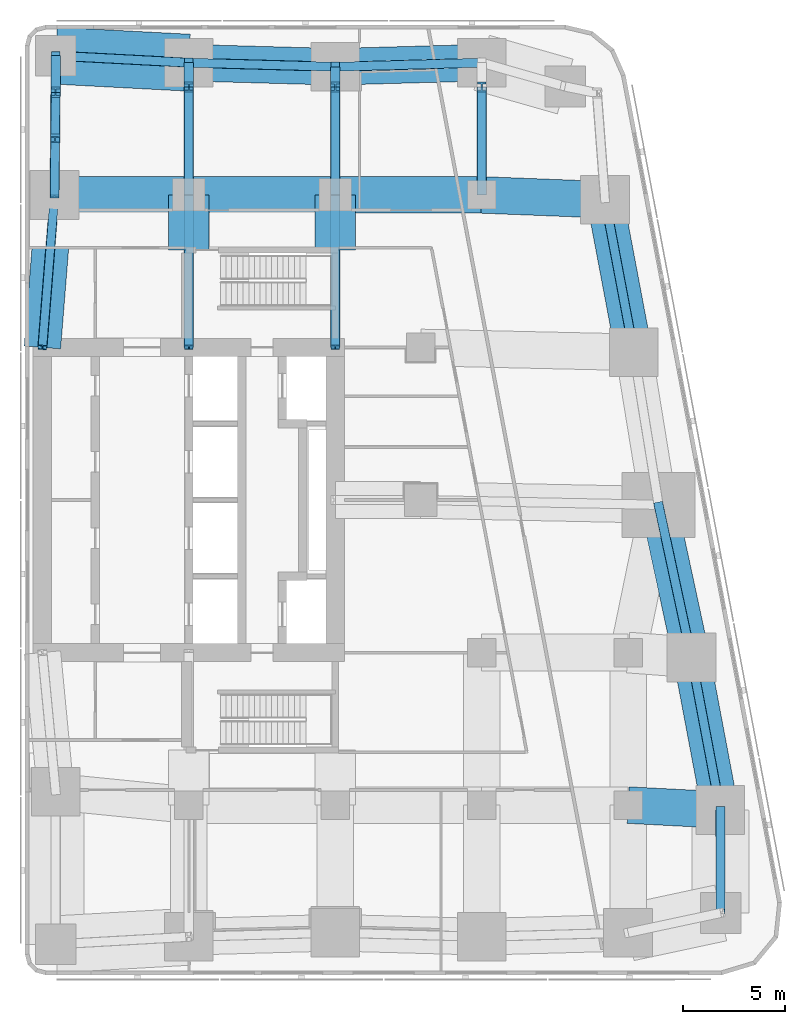
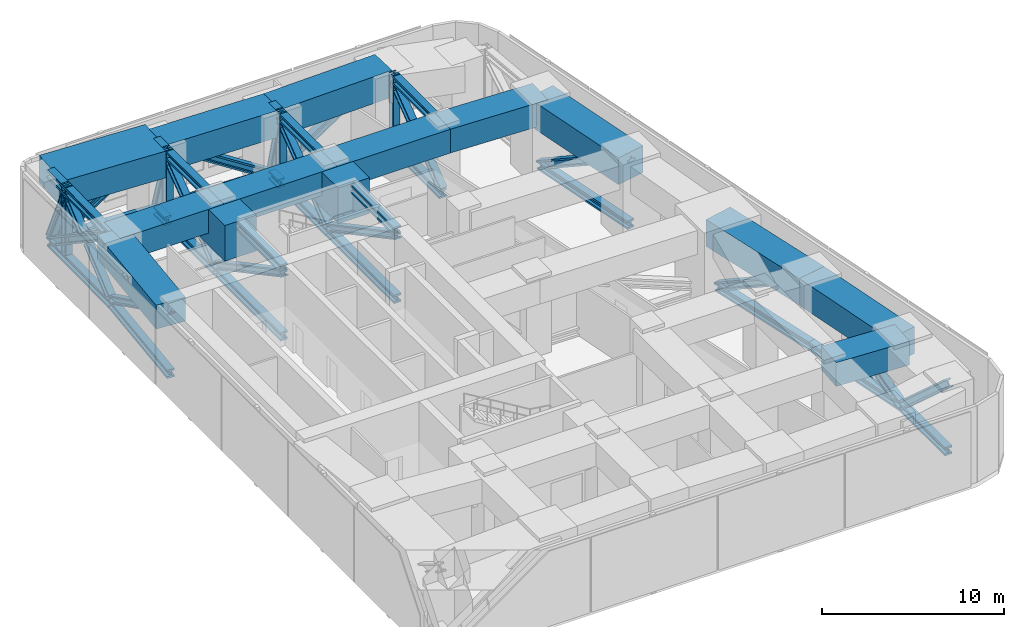
# One storey, part 2 of 9: 50 members, 14 beams.
"""IFC4 building model written with IfcOpenShell, lengths in metres."""

from ifc_helpers import new_model, si_unit, direction, frame, origin, origin_2d, place, context, subcontext, project, spatial, rectangle, i_section, extrude, material, material_profile, profile_set, type_object, element, save


model = new_model("IFC4")

# Units and contexts
model_context = context("Model", 3, precision=1e-05, world=origin(), true_north=direction((0.0, 1.0)))
body_context = subcontext(model_context, "Body", "Model", "MODEL_VIEW")
ifc_project = project(units=[si_unit("LENGTHUNIT", "METRE"), si_unit("AREAUNIT", "SQUARE_METRE"), si_unit("VOLUMEUNIT", "CUBIC_METRE"), si_unit("PLANEANGLEUNIT", "RADIAN"), si_unit("MASSUNIT", "GRAM", prefix="KILO")], contexts=[model_context])

# Site, building, storey
site_placement = place(None, origin())
site = spatial("IfcSite", under=ifc_project, at=site_placement, CompositionType="ELEMENT")
building_placement = place(site_placement, origin())
building = spatial("IfcBuilding", under=site, at=building_placement, Name="Sheger Commons Tower", CompositionType="ELEMENT")
storey_placement = place(building_placement, frame((0.0, 0.0, 246.199951171875)))
storey = spatial("IfcBuildingStorey", under=building, at=storey_placement, Name="L63", CompositionType="ELEMENT", Elevation=246.199951171875)

# Beams
ifc_material_1 = material(Name="Concrete C50/60", Category="concrete")
ifc_material_profile_1 = material_profile(ifc_material_1, rectangle(XDim=1.800048828125, YDim=1.60009765625, at=origin_2d()), Name="RC 1800x1600")
ifc_profile_set_1 = profile_set([ifc_material_profile_1], Name="Concrete C50/60")
beam_type_1 = type_object("IfcBeamType", Name="BEAM RC 1800x1600", PredefinedType="BEAM", material=ifc_profile_set_1)
beam_1_placement = place(storey_placement, frame((43.199951171875, 7.5, 4.35009765625), z_axis=(0.998633543943, -0.052259400225, 0.0), x_axis=(0.052259400225, 0.998633543943, 0.0)))
element("IfcBeam", 1, at=beam_1_placement, inside=storey, type_object=beam_type_1, Name="Beam 7/B-E/B under L64", PredefinedType="BEAM", context=body_context, shape_type="SweptSolid", body=[
    extrude(rectangle(XDim=1.800048828125, YDim=1.60009765625, at=origin_2d()), origin(), (0.0, 0.0, 1.0), 4.5361328125),
])
beam_2_placement = place(storey_placement, frame((15.0, 37.5, 4.35009765625), z_axis=(1.0, 0.0, 0.0), x_axis=(0.0, 1.0, 0.0)))
element("IfcBeam", 2, at=beam_2_placement, inside=storey, type_object=beam_type_1, Name="Beam 3/F-4/F under L64", PredefinedType="BEAM", context=body_context, shape_type="SweptSolid", body=[
    extrude(rectangle(XDim=1.800048828125, YDim=1.60009765625, at=origin_2d()), origin(), (0.0, 0.0, 1.0), 6.60009765625),
])
for number, where, z_axis, x_axis, name in (
    (3, (21.60009765625, 37.5, 4.35009765625), (1.0, 0.0, 0.0), (0.0, 1.0, 0.0), "Beam 4/F-5/F under L64"),
    (4, (28.800048828125, 37.5, 4.35009765625), (1.0, 0.0, 0.0), (0.0, 1.0, 0.0), "Beam 5/F-6/F under L64"),
):
    element("IfcBeam", number, at=place(storey_placement, frame(where, z_axis=z_axis, x_axis=x_axis)), inside=storey, type_object=beam_type_1, Name=name, PredefinedType="BEAM", context=body_context, shape_type="SweptSolid", body=[
        extrude(rectangle(XDim=1.800048828125, YDim=1.60009765625, at=origin_2d()), origin(), (0.0, 0.0, 1.0), 7.199951171875),
    ])
beam_3_placement = place(storey_placement, frame((36.0, 37.5, 4.35009765625), z_axis=(0.99923673074, -0.039063486011, 0.0), x_axis=(0.039063486011, 0.99923673074, 0.0)))
element("IfcBeam", 5, at=beam_3_placement, inside=storey, type_object=beam_type_1, Name="Beam 6/F-E/F under L64", PredefinedType="BEAM", context=body_context, shape_type="SweptSolid", body=[
    extrude(rectangle(XDim=1.800048828125, YDim=1.60009765625, at=origin_2d()), origin(), (0.0, 0.0, 1.0), 6.068603515625),
])
beam_4_placement = place(storey_placement, frame((14.39990234375, 30.0, 4.35009765625), z_axis=(0.079758119089, 0.996814246708, 0.0), x_axis=(-0.996814246708, 0.079758119089, 0.0)))
element("IfcBeam", 6, at=beam_4_placement, inside=storey, type_object=beam_type_1, Name="Beam 3/E-3/F under L64", PredefinedType="BEAM", context=body_context, shape_type="SweptSolid", body=[
    extrude(rectangle(XDim=1.800048828125, YDim=1.60009765625, at=origin_2d()), origin(), (0.0, 0.0, 1.0), 7.52392578125),
])
ifc_material_2 = material(Name="Concrete C50/60", Category="concrete")
ifc_material_profile_2 = material_profile(ifc_material_2, rectangle(XDim=2.0, YDim=2.39990234375, at=origin_2d()), Name="RC 2000x2400")
ifc_profile_set_2 = profile_set([ifc_material_profile_2], Name="Concrete C50/60")
beam_type_2 = type_object("IfcBeamType", Name="BEAM RC 2000x2400", PredefinedType="BEAM", material=ifc_profile_set_2)
for number, where, z_axis, x_axis, name in (
    (7, (21.60009765625, 34.800048828125, 3.949951171875), (0.0, 1.0, 0.0), (-1.0, 0.0, 0.0), "Beam 21.600,34.800-4/F under L64"),
    (8, (28.800048828125, 34.800048828125, 3.949951171875), (0.0, 1.0, 0.0), (-1.0, 0.0, 0.0), "Beam 28.800,34.800-5/F under L64"),
):
    element("IfcBeam", number, at=place(storey_placement, frame(where, z_axis=z_axis, x_axis=x_axis)), inside=storey, type_object=beam_type_2, Name=name, PredefinedType="BEAM", context=body_context, shape_type="SweptSolid", body=[
        extrude(rectangle(XDim=2.0, YDim=2.39990234375, at=origin_2d()), origin(), (0.0, 0.0, 1.0), 2.699951171875),
    ])

# Members
ifc_material_3 = material(Name="Steel S460", Category="steel")
ifc_material_profile_3 = material_profile(ifc_material_3, i_section(OverallWidth=0.424072265625, OverallDepth=0.47412109375, WebThickness=0.047607421875, FlangeThickness=0.0771484375, at=origin_2d()), Name="HD 400x634")
ifc_profile_set_3 = profile_set([ifc_material_profile_3], Name="Steel S460")
member_type_1 = type_object("IfcMemberType", Name="BRACE HD 400x634", PredefinedType="BRACE", material=ifc_profile_set_3)
member_1_placement = place(storey_placement, frame((14.39990234375, 30.0, 4.5810546875), z_axis=(0.070377998838, 0.879581824376, -0.470513285155), x_axis=(-0.996814246708, 0.079758119089, 0.0)))
element("IfcMember", 9, at=member_1_placement, inside=storey, type_object=member_type_1, Name="Outrigger N diagonal 3", PredefinedType="BRACE", context=body_context, shape_type="SweptSolid", body=[
    extrude(i_section(OverallWidth=0.424072265625, OverallDepth=0.47412109375, WebThickness=0.047607421875, FlangeThickness=0.0771484375, at=origin_2d()), origin(), (0.0, 0.0, 1.0), 8.52685546875),
])
member_2_placement = place(storey_placement, frame((15.0, 37.5, 0.569091796875), z_axis=(0.008378416844, 0.782713109701, 0.622326272974), x_axis=(-0.999942713618, 0.010703713495, 0.0)))
element("IfcMember", 10, at=member_2_placement, inside=storey, type_object=member_type_1, Name="Truss 3 diagonal", PredefinedType="BRACE", context=body_context, shape_type="SweptSolid", body=[
    extrude(i_section(OverallWidth=0.424072265625, OverallDepth=0.47412109375, WebThickness=0.047607421875, FlangeThickness=0.0771484375, at=origin_2d()), origin(), (0.0, 0.0, 1.0), 3.467529296875),
])
member_3_placement = place(storey_placement, frame((15.053955078125, 44.345947265625, 0.569091796875), z_axis=(0.0, -0.40935558494, 0.912374925718), x_axis=(1.0, 0.0, 0.0)))
element("IfcMember", 11, at=member_3_placement, inside=storey, type_object=member_type_1, Name="Truss 3 diagonal", PredefinedType="BRACE", context=body_context, shape_type="SweptSolid", body=[
    extrude(i_section(OverallWidth=0.424072265625, OverallDepth=0.47412109375, WebThickness=0.047607421875, FlangeThickness=0.0771484375, at=origin_2d()), origin(), (0.0, 0.0, 1.0), 4.397216796875),
])
member_4_placement = place(storey_placement, frame((21.60009765625, 30.0, 4.5810546875), z_axis=(0.0, 0.88176826188, -0.471682872639), x_axis=(-1.0, 0.0, 0.0)))
element("IfcMember", 12, at=member_4_placement, inside=storey, type_object=member_type_1, Name="Outrigger N diagonal 4", PredefinedType="BRACE", context=body_context, shape_type="SweptSolid", body=[
    extrude(i_section(OverallWidth=0.424072265625, OverallDepth=0.47412109375, WebThickness=0.047607421875, FlangeThickness=0.0771484375, at=origin_2d()), origin(), (0.0, 0.0, 1.0), 8.505615234375),
])
member_5_placement = place(storey_placement, frame((21.60009765625, 37.5, 0.569091796875), z_axis=(0.0, 0.797325655592, 0.603549334301), x_axis=(-1.0, 0.0, 0.0)))
element("IfcMember", 13, at=member_5_placement, inside=storey, type_object=member_type_1, Name="Truss 4 diagonal", PredefinedType="BRACE", context=body_context, shape_type="SweptSolid", body=[
    extrude(i_section(OverallWidth=0.424072265625, OverallDepth=0.47412109375, WebThickness=0.047607421875, FlangeThickness=0.0771484375, at=origin_2d()), origin(), (0.0, 0.0, 1.0), 6.647216796875),
])
member_6_placement = place(storey_placement, frame((21.60009765625, 44.0, 0.569091796875), z_axis=(0.0, -0.286550823558, 0.958065042426), x_axis=(1.0, 0.0, 0.0)))
element("IfcMember", 14, at=member_6_placement, inside=storey, type_object=member_type_1, Name="Truss 4 diagonal", PredefinedType="BRACE", context=body_context, shape_type="SweptSolid", body=[
    extrude(i_section(OverallWidth=0.424072265625, OverallDepth=0.47412109375, WebThickness=0.047607421875, FlangeThickness=0.0771484375, at=origin_2d()), origin(), (0.0, 0.0, 1.0), 4.1875),
])
member_7_placement = place(storey_placement, frame((28.800048828125, 30.0, 4.5810546875), z_axis=(0.0, 0.88176826188, -0.471682872639), x_axis=(-1.0, 0.0, 0.0)))
element("IfcMember", 15, at=member_7_placement, inside=storey, type_object=member_type_1, Name="Outrigger N diagonal 5", PredefinedType="BRACE", context=body_context, shape_type="SweptSolid", body=[
    extrude(i_section(OverallWidth=0.424072265625, OverallDepth=0.47412109375, WebThickness=0.047607421875, FlangeThickness=0.0771484375, at=origin_2d()), origin(), (0.0, 0.0, 1.0), 8.505615234375),
])
member_8_placement = place(storey_placement, frame((28.800048828125, 37.5, 0.569091796875), z_axis=(0.0, 0.797325655592, 0.603549334301), x_axis=(-1.0, 0.0, 0.0)))
element("IfcMember", 16, at=member_8_placement, inside=storey, type_object=member_type_1, Name="Truss 5 diagonal", PredefinedType="BRACE", context=body_context, shape_type="SweptSolid", body=[
    extrude(i_section(OverallWidth=0.424072265625, OverallDepth=0.47412109375, WebThickness=0.047607421875, FlangeThickness=0.0771484375, at=origin_2d()), origin(), (0.0, 0.0, 1.0), 6.647216796875),
])
member_9_placement = place(storey_placement, frame((28.800048828125, 43.800048828125, 0.569091796875), z_axis=(0.0, -0.241854792984, 0.970312454373), x_axis=(1.0, 0.0, 0.0)))
element("IfcMember", 17, at=member_9_placement, inside=storey, type_object=member_type_1, Name="Truss 5 diagonal", PredefinedType="BRACE", context=body_context, shape_type="SweptSolid", body=[
    extrude(i_section(OverallWidth=0.424072265625, OverallDepth=0.47412109375, WebThickness=0.047607421875, FlangeThickness=0.0771484375, at=origin_2d()), origin(), (0.0, 0.0, 1.0), 4.134765625),
])
member_10_placement = place(storey_placement, frame((36.0, 37.5, 0.569091796875), z_axis=(0.0, 0.797325655592, 0.603549334301), x_axis=(-1.0, 0.0, 0.0)))
element("IfcMember", 18, at=member_10_placement, inside=storey, type_object=member_type_1, Name="Truss 6 diagonal", PredefinedType="BRACE", context=body_context, shape_type="SweptSolid", body=[
    extrude(i_section(OverallWidth=0.424072265625, OverallDepth=0.47412109375, WebThickness=0.047607421875, FlangeThickness=0.0771484375, at=origin_2d()), origin(), (0.0, 0.0, 1.0), 6.647216796875),
])
member_11_placement = place(storey_placement, frame((15.033935546875, 40.65087890625, 3.073974609375), z_axis=(0.008268024008, 0.782639053023, 0.622420880483), x_axis=(-0.999944202585, 0.010563698095, 0.0)))
element("IfcMember", 19, at=member_11_placement, inside=storey, type_object=member_type_1, Name="Truss 3 diagonal", PredefinedType="BRACE", context=body_context, shape_type="SweptSolid", body=[
    extrude(i_section(OverallWidth=0.424072265625, OverallDepth=0.47412109375, WebThickness=0.047607421875, FlangeThickness=0.0771484375, at=origin_2d()), origin(), (0.0, 0.0, 1.0), 2.42138671875),
])
ifc_material_4 = material(Name="Steel S460", Category="steel")
ifc_material_profile_4 = material_profile(ifc_material_4, i_section(OverallWidth=0.44189453125, OverallDepth=0.531005859375, WebThickness=0.06591796875, FlangeThickness=0.10595703125, at=origin_2d()), Name="HD 400x900")
ifc_profile_set_4 = profile_set([ifc_material_profile_4], Name="Steel S460")
member_type_2 = type_object("IfcMemberType", Name="BRACE HD 400x900", PredefinedType="BRACE", material=ifc_profile_set_4)
member_12_placement = place(storey_placement, frame((47.72998046875, 7.262939453125, 0.300048828125), z_axis=(0.002653189258, -0.743968609516, 0.668209300026), x_axis=(0.999993640937, 0.003566242382, 0.0)))
element("IfcMember", 20, at=member_12_placement, inside=storey, type_object=member_type_2, Name="Belt truss diagonal 47.748,2.197-47.730,7.263", PredefinedType="BRACE", context=body_context, shape_type="SweptSolid", body=[
    extrude(i_section(OverallWidth=0.44189453125, OverallDepth=0.531005859375, WebThickness=0.06591796875, FlangeThickness=0.10595703125, at=origin_2d()), origin(), (0.0, 0.0, 1.0), 6.809326171875),
])
member_13_placement = place(storey_placement, frame((47.72998046875, 7.262939453125, 0.300048828125), z_axis=(-0.159356525965, 0.844040082352, 0.512056478346), x_axis=(-0.982639655108, -0.18552441405, 0.0)))
element("IfcMember", 21, at=member_13_placement, inside=storey, type_object=member_type_2, Name="Belt truss diagonal 47.730,7.263-46.314,14.763", PredefinedType="BRACE", context=body_context, shape_type="SweptSolid", body=[
    extrude(i_section(OverallWidth=0.44189453125, OverallDepth=0.531005859375, WebThickness=0.06591796875, FlangeThickness=0.10595703125, at=origin_2d()), origin(), (0.0, 0.0, 1.0), 8.8857421875),
])
member_14_placement = place(storey_placement, frame((44.697021484375, 22.262939453125, 0.300048828125), z_axis=(0.181270480805, -0.840801626201, 0.510091793864), x_axis=(0.977539943348, 0.210750229323, 0.0)))
element("IfcMember", 22, at=member_14_placement, inside=storey, type_object=member_type_2, Name="Belt truss diagonal 46.314,14.763-44.697,22.263", PredefinedType="BRACE", context=body_context, shape_type="SweptSolid", body=[
    extrude(i_section(OverallWidth=0.44189453125, OverallDepth=0.531005859375, WebThickness=0.06591796875, FlangeThickness=0.10595703125, at=origin_2d()), origin(), (0.0, 0.0, 1.0), 8.920166015625),
])
member_15_placement = place(storey_placement, frame((42.06396484375, 37.262939453125, 0.300048828125), z_axis=(0.159356525965, -0.844040082352, 0.512056478346), x_axis=(0.982639655108, 0.18552441405, 0.0)))
element("IfcMember", 23, at=member_15_placement, inside=storey, type_object=member_type_2, Name="Belt truss diagonal 43.480,29.763-42.064,37.263", PredefinedType="BRACE", context=body_context, shape_type="SweptSolid", body=[
    extrude(i_section(OverallWidth=0.44189453125, OverallDepth=0.531005859375, WebThickness=0.06591796875, FlangeThickness=0.10595703125, at=origin_2d()), origin(), (0.0, 0.0, 1.0), 8.8857421875),
])
for number, where, z_axis, x_axis, name in (
    (24, (28.800048828125, 43.800048828125, 0.300048828125), (0.845112299674, 0.023469769538, 0.534073375912), (-0.027760481514, 0.999614603568, 0.0), "Belt truss diagonal 36.000,44.000-28.800,43.800"),
    (25, (28.800048828125, 43.800048828125, 0.300048828125), (-0.845112299674, 0.023469769538, 0.534073375912), (-0.027760481514, -0.999614603568, 0.0), "Belt truss diagonal 28.800,43.800-21.600,44.000"),
):
    element("IfcMember", number, at=place(storey_placement, frame(where, z_axis=z_axis, x_axis=x_axis)), inside=storey, type_object=member_type_2, Name=name, PredefinedType="BRACE", context=body_context, shape_type="SweptSolid", body=[
        extrude(i_section(OverallWidth=0.44189453125, OverallDepth=0.531005859375, WebThickness=0.06591796875, FlangeThickness=0.10595703125, at=origin_2d()), origin(), (0.0, 0.0, 1.0), 8.51953125),
    ])
member_16_placement = place(storey_placement, frame((15.053955078125, 44.345947265625, 0.300048828125), z_axis=(0.82035593672, -0.04335375983, 0.57020749609), x_axis=(0.052773855783, 0.998606489137, 0.0)))
element("IfcMember", 26, at=member_16_placement, inside=storey, type_object=member_type_2, Name="Belt truss diagonal 21.600,44.000-15.054,44.346", PredefinedType="BRACE", context=body_context, shape_type="SweptSolid", body=[
    extrude(i_section(OverallWidth=0.44189453125, OverallDepth=0.531005859375, WebThickness=0.06591796875, FlangeThickness=0.10595703125, at=origin_2d()), origin(), (0.0, 0.0, 1.0), 7.979736328125),
])
member_17_placement = place(storey_placement, frame((15.053955078125, 44.345947265625, 0.300048828125), z_axis=(-0.006563662009, -0.83281287959, 0.553515696192), x_axis=(0.999968943871, -0.00788107188, 0.0)))
element("IfcMember", 27, at=member_17_placement, inside=storey, type_object=member_type_2, Name="Belt truss diagonal 15.054,44.346-3+600/F", PredefinedType="BRACE", context=body_context, shape_type="SweptSolid", body=[
    extrude(i_section(OverallWidth=0.44189453125, OverallDepth=0.531005859375, WebThickness=0.06591796875, FlangeThickness=0.10595703125, at=origin_2d()), origin(), (0.0, 0.0, 1.0), 8.22021484375),
])
ifc_material_5 = material(Name="Steel S460", Category="steel")
ifc_material_profile_5 = material_profile(ifc_material_5, i_section(OverallWidth=0.4541015625, OverallDepth=0.569091796875, WebThickness=0.077880859375, FlangeThickness=0.125, at=origin_2d()), Name="HD 400x1086")
ifc_profile_set_5 = profile_set([ifc_material_profile_5], Name="Steel S460")
member_type_3 = type_object("IfcMemberType", Name="CHORD HD 400x1086", PredefinedType="CHORD", material=ifc_profile_set_5)
member_18_placement = place(storey_placement, frame((47.748046875, 2.197021484375, 0.300048828125), z_axis=(-0.003566242382, 0.999993640937, 0.0), x_axis=(-0.999993640937, -0.003566242382, 0.0)))
element("IfcMember", 28, at=member_18_placement, inside=storey, type_object=member_type_3, Name="Belt truss bottom chord 47.748,2.197-47.730,7.263", PredefinedType="CHORD", context=body_context, shape_type="SweptSolid", body=[
    extrude(i_section(OverallWidth=0.4541015625, OverallDepth=0.569091796875, WebThickness=0.077880859375, FlangeThickness=0.125, at=origin_2d()), origin(), (0.0, 0.0, 1.0), 5.06591796875),
])
member_19_placement = place(storey_placement, frame((47.72998046875, 7.262939453125, 0.300048828125), z_axis=(-0.18552441405, 0.982639655108, 0.0), x_axis=(-0.982639655108, -0.18552441405, 0.0)))
element("IfcMember", 29, at=member_19_placement, inside=storey, type_object=member_type_3, Name="Belt truss bottom chord 47.730,7.263-46.314,14.763", PredefinedType="CHORD", context=body_context, shape_type="SweptSolid", body=[
    extrude(i_section(OverallWidth=0.4541015625, OverallDepth=0.569091796875, WebThickness=0.077880859375, FlangeThickness=0.125, at=origin_2d()), origin(), (0.0, 0.0, 1.0), 7.632568359375),
])
member_20_placement = place(storey_placement, frame((46.31396484375, 14.762939453125, 0.300048828125), z_axis=(-0.210750229323, 0.977539943348, 0.0), x_axis=(-0.977539943348, -0.210750229323, 0.0)))
element("IfcMember", 30, at=member_20_placement, inside=storey, type_object=member_type_3, Name="Belt truss bottom chord 46.314,14.763-44.697,22.263", PredefinedType="CHORD", context=body_context, shape_type="SweptSolid", body=[
    extrude(i_section(OverallWidth=0.4541015625, OverallDepth=0.569091796875, WebThickness=0.077880859375, FlangeThickness=0.125, at=origin_2d()), origin(), (0.0, 0.0, 1.0), 7.67236328125),
])
member_21_placement = place(storey_placement, frame((43.47998046875, 29.762939453125, 0.300048828125), z_axis=(-0.18552441405, 0.982639655108, 0.0), x_axis=(-0.982639655108, -0.18552441405, 0.0)))
element("IfcMember", 31, at=member_21_placement, inside=storey, type_object=member_type_3, Name="Belt truss bottom chord 43.480,29.763-42.064,37.263", PredefinedType="CHORD", context=body_context, shape_type="SweptSolid", body=[
    extrude(i_section(OverallWidth=0.4541015625, OverallDepth=0.569091796875, WebThickness=0.077880859375, FlangeThickness=0.125, at=origin_2d()), origin(), (0.0, 0.0, 1.0), 7.632568359375),
])
member_22_placement = place(storey_placement, frame((28.800048828125, 43.800048828125, 0.300048828125), z_axis=(-0.999614603568, 0.027760481514, 0.0), x_axis=(-0.027760481514, -0.999614603568, 0.0)))
element("IfcMember", 32, at=member_22_placement, inside=storey, type_object=member_type_3, Name="Belt truss bottom chord 28.800,43.800-21.600,44.000", PredefinedType="CHORD", context=body_context, shape_type="SweptSolid", body=[
    extrude(i_section(OverallWidth=0.4541015625, OverallDepth=0.569091796875, WebThickness=0.077880859375, FlangeThickness=0.125, at=origin_2d()), origin(), (0.0, 0.0, 1.0), 7.20263671875),
])
member_23_placement = place(storey_placement, frame((21.60009765625, 44.0, 0.300048828125), z_axis=(-0.998606489137, 0.052773855783, 0.0), x_axis=(-0.052773855783, -0.998606489137, 0.0)))
element("IfcMember", 33, at=member_23_placement, inside=storey, type_object=member_type_3, Name="Belt truss bottom chord 21.600,44.000-15.054,44.346", PredefinedType="CHORD", context=body_context, shape_type="SweptSolid", body=[
    extrude(i_section(OverallWidth=0.4541015625, OverallDepth=0.569091796875, WebThickness=0.077880859375, FlangeThickness=0.125, at=origin_2d()), origin(), (0.0, 0.0, 1.0), 6.55517578125),
])
for number, where, z_axis, x_axis, name in (
    (34, (15.053955078125, 44.345947265625, 0.300048828125), (-0.00788107188, -0.999968943871, 0.0), (0.999968943871, -0.00788107188, 0.0), "Belt truss bottom chord 15.054,44.346-3+600/F"),
    (35, (15.053955078125, 44.345947265625, 4.85009765625), (-0.00788107188, -0.999968943871, 0.0), (0.999968943871, -0.00788107188, 0.0), "Belt truss top chord 15.054,44.346-3+600/F"),
):
    element("IfcMember", number, at=place(storey_placement, frame(where, z_axis=z_axis, x_axis=x_axis)), inside=storey, type_object=member_type_3, Name=name, PredefinedType="CHORD", context=body_context, shape_type="SweptSolid", body=[
        extrude(i_section(OverallWidth=0.4541015625, OverallDepth=0.569091796875, WebThickness=0.077880859375, FlangeThickness=0.125, at=origin_2d()), origin(), (0.0, 0.0, 1.0), 6.84619140625),
    ])
member_24_placement = place(storey_placement, frame((14.39990234375, 30.0, 0.300048828125), z_axis=(0.079758119089, 0.996814246708, 0.0), x_axis=(-0.996814246708, 0.079758119089, 0.0)))
element("IfcMember", 36, at=member_24_placement, inside=storey, type_object=member_type_3, Name="Outrigger N bottom chord 3/E-3/F", PredefinedType="CHORD", context=body_context, shape_type="SweptSolid", body=[
    extrude(i_section(OverallWidth=0.4541015625, OverallDepth=0.569091796875, WebThickness=0.077880859375, FlangeThickness=0.125, at=origin_2d()), origin(), (0.0, 0.0, 1.0), 7.52392578125),
])
for number, where, z_axis, x_axis, name in (
    (37, (21.60009765625, 30.0, 0.300048828125), (0.0, 1.0, 0.0), (-1.0, 0.0, 0.0), "Outrigger N bottom chord 4/E-4/F"),
    (38, (21.60009765625, 30.0, 4.85009765625), (0.0, 1.0, 0.0), (-1.0, 0.0, 0.0), "Outrigger N top chord 4/E-4/F"),
    (39, (28.800048828125, 30.0, 0.300048828125), (0.0, 1.0, 0.0), (-1.0, 0.0, 0.0), "Outrigger N bottom chord 5/E-5/F"),
    (40, (28.800048828125, 30.0, 4.85009765625), (0.0, 1.0, 0.0), (-1.0, 0.0, 0.0), "Outrigger N top chord 5/E-5/F"),
):
    element("IfcMember", number, at=place(storey_placement, frame(where, z_axis=z_axis, x_axis=x_axis)), inside=storey, type_object=member_type_3, Name=name, PredefinedType="CHORD", context=body_context, shape_type="SweptSolid", body=[
        extrude(i_section(OverallWidth=0.4541015625, OverallDepth=0.569091796875, WebThickness=0.077880859375, FlangeThickness=0.125, at=origin_2d()), origin(), (0.0, 0.0, 1.0), 7.5),
    ])
member_25_placement = place(storey_placement, frame((15.0, 37.5, 0.28466796875), z_axis=(0.010692247282, 0.99994283629, 0.0), x_axis=(-0.99994283629, 0.010692247282, 0.0)))
element("IfcMember", 41, at=member_25_placement, inside=storey, type_object=member_type_3, Name="Truss 3 bottom chord", PredefinedType="CHORD", context=body_context, shape_type="SweptSolid", body=[
    extrude(i_section(OverallWidth=0.4541015625, OverallDepth=0.569091796875, WebThickness=0.077880859375, FlangeThickness=0.125, at=origin_2d()), origin(), (0.0, 0.0, 1.0), 5.046142578125),
])
member_26_placement = place(storey_placement, frame((15.053955078125, 42.5458984375, 0.28466796875), z_axis=(0.0, 1.0, 0.0), x_axis=(-1.0, 0.0, 0.0)))
element("IfcMember", 42, at=member_26_placement, inside=storey, type_object=member_type_3, Name="Truss 3 bottom chord", PredefinedType="CHORD", context=body_context, shape_type="SweptSolid", body=[
    extrude(i_section(OverallWidth=0.4541015625, OverallDepth=0.569091796875, WebThickness=0.077880859375, FlangeThickness=0.125, at=origin_2d()), origin(), (0.0, 0.0, 1.0), 1.800048828125),
])
member_27_placement = place(storey_placement, frame((15.0, 37.5, 4.865478515625), z_axis=(0.010692247282, 0.99994283629, 0.0), x_axis=(-0.99994283629, 0.010692247282, 0.0)))
element("IfcMember", 43, at=member_27_placement, inside=storey, type_object=member_type_3, Name="Truss 3 top chord", PredefinedType="CHORD", context=body_context, shape_type="SweptSolid", body=[
    extrude(i_section(OverallWidth=0.4541015625, OverallDepth=0.569091796875, WebThickness=0.077880859375, FlangeThickness=0.125, at=origin_2d()), origin(), (0.0, 0.0, 1.0), 5.046142578125),
])
member_28_placement = place(storey_placement, frame((15.053955078125, 42.5458984375, 4.865478515625), z_axis=(0.0, 1.0, 0.0), x_axis=(-1.0, 0.0, 0.0)))
element("IfcMember", 44, at=member_28_placement, inside=storey, type_object=member_type_3, Name="Truss 3 top chord", PredefinedType="CHORD", context=body_context, shape_type="SweptSolid", body=[
    extrude(i_section(OverallWidth=0.4541015625, OverallDepth=0.569091796875, WebThickness=0.077880859375, FlangeThickness=0.125, at=origin_2d()), origin(), (0.0, 0.0, 1.0), 1.800048828125),
])
member_29_placement = place(storey_placement, frame((21.60009765625, 37.5, 0.28466796875), z_axis=(0.0, 1.0, 0.0), x_axis=(-1.0, 0.0, 0.0)))
element("IfcMember", 45, at=member_29_placement, inside=storey, type_object=member_type_3, Name="Truss 4 bottom chord", PredefinedType="CHORD", context=body_context, shape_type="SweptSolid", body=[
    extrude(i_section(OverallWidth=0.4541015625, OverallDepth=0.569091796875, WebThickness=0.077880859375, FlangeThickness=0.125, at=origin_2d()), origin(), (0.0, 0.0, 1.0), 5.300048828125),
])
member_30_placement = place(storey_placement, frame((21.60009765625, 42.800048828125, 0.28466796875), z_axis=(0.0, 1.0, 0.0), x_axis=(-1.0, 0.0, 0.0)))
element("IfcMember", 46, at=member_30_placement, inside=storey, type_object=member_type_3, Name="Truss 4 bottom chord", PredefinedType="CHORD", context=body_context, shape_type="SweptSolid", body=[
    extrude(i_section(OverallWidth=0.4541015625, OverallDepth=0.569091796875, WebThickness=0.077880859375, FlangeThickness=0.125, at=origin_2d()), origin(), (0.0, 0.0, 1.0), 1.199951171875),
])
member_31_placement = place(storey_placement, frame((21.60009765625, 37.5, 4.865478515625), z_axis=(0.0, 1.0, 0.0), x_axis=(-1.0, 0.0, 0.0)))
element("IfcMember", 47, at=member_31_placement, inside=storey, type_object=member_type_3, Name="Truss 4 top chord", PredefinedType="CHORD", context=body_context, shape_type="SweptSolid", body=[
    extrude(i_section(OverallWidth=0.4541015625, OverallDepth=0.569091796875, WebThickness=0.077880859375, FlangeThickness=0.125, at=origin_2d()), origin(), (0.0, 0.0, 1.0), 5.300048828125),
])
member_32_placement = place(storey_placement, frame((21.60009765625, 42.800048828125, 4.865478515625), z_axis=(0.0, 1.0, 0.0), x_axis=(-1.0, 0.0, 0.0)))
element("IfcMember", 48, at=member_32_placement, inside=storey, type_object=member_type_3, Name="Truss 4 top chord", PredefinedType="CHORD", context=body_context, shape_type="SweptSolid", body=[
    extrude(i_section(OverallWidth=0.4541015625, OverallDepth=0.569091796875, WebThickness=0.077880859375, FlangeThickness=0.125, at=origin_2d()), origin(), (0.0, 0.0, 1.0), 1.199951171875),
])
member_33_placement = place(storey_placement, frame((28.800048828125, 37.5, 0.28466796875), z_axis=(0.0, 1.0, 0.0), x_axis=(-1.0, 0.0, 0.0)))
element("IfcMember", 49, at=member_33_placement, inside=storey, type_object=member_type_3, Name="Truss 5 bottom chord", PredefinedType="CHORD", context=body_context, shape_type="SweptSolid", body=[
    extrude(i_section(OverallWidth=0.4541015625, OverallDepth=0.569091796875, WebThickness=0.077880859375, FlangeThickness=0.125, at=origin_2d()), origin(), (0.0, 0.0, 1.0), 5.300048828125),
])
member_34_placement = place(storey_placement, frame((28.800048828125, 42.800048828125, 0.28466796875), z_axis=(0.0, 1.0, 0.0), x_axis=(-1.0, 0.0, 0.0)))
element("IfcMember", 50, at=member_34_placement, inside=storey, type_object=member_type_3, Name="Truss 5 bottom chord", PredefinedType="CHORD", context=body_context, shape_type="SweptSolid", body=[
    extrude(i_section(OverallWidth=0.4541015625, OverallDepth=0.569091796875, WebThickness=0.077880859375, FlangeThickness=0.125, at=origin_2d()), origin(), (0.0, 0.0, 1.0), 1.0),
])
member_35_placement = place(storey_placement, frame((28.800048828125, 37.5, 4.865478515625), z_axis=(0.0, 1.0, 0.0), x_axis=(-1.0, 0.0, 0.0)))
element("IfcMember", 51, at=member_35_placement, inside=storey, type_object=member_type_3, Name="Truss 5 top chord", PredefinedType="CHORD", context=body_context, shape_type="SweptSolid", body=[
    extrude(i_section(OverallWidth=0.4541015625, OverallDepth=0.569091796875, WebThickness=0.077880859375, FlangeThickness=0.125, at=origin_2d()), origin(), (0.0, 0.0, 1.0), 5.300048828125),
])
member_36_placement = place(storey_placement, frame((28.800048828125, 42.800048828125, 4.865478515625), z_axis=(0.0, 1.0, 0.0), x_axis=(-1.0, 0.0, 0.0)))
element("IfcMember", 52, at=member_36_placement, inside=storey, type_object=member_type_3, Name="Truss 5 top chord", PredefinedType="CHORD", context=body_context, shape_type="SweptSolid", body=[
    extrude(i_section(OverallWidth=0.4541015625, OverallDepth=0.569091796875, WebThickness=0.077880859375, FlangeThickness=0.125, at=origin_2d()), origin(), (0.0, 0.0, 1.0), 1.0),
])
for number, where, z_axis, x_axis, name in (
    (53, (36.0, 37.5, 0.28466796875), (0.0, 1.0, 0.0), (-1.0, 0.0, 0.0), "Truss 6 bottom chord"),
    (54, (36.0, 37.5, 4.865478515625), (0.0, 1.0, 0.0), (-1.0, 0.0, 0.0), "Truss 6 top chord"),
):
    element("IfcMember", number, at=place(storey_placement, frame(where, z_axis=z_axis, x_axis=x_axis)), inside=storey, type_object=member_type_3, Name=name, PredefinedType="CHORD", context=body_context, shape_type="SweptSolid", body=[
        extrude(i_section(OverallWidth=0.4541015625, OverallDepth=0.569091796875, WebThickness=0.077880859375, FlangeThickness=0.125, at=origin_2d()), origin(), (0.0, 0.0, 1.0), 5.300048828125),
    ])
ifc_material_6 = material(Name="Steel S460", Category="steel")
ifc_material_profile_6 = material_profile(ifc_material_6, i_section(OverallWidth=0.431884765625, OverallDepth=0.498046875, WebThickness=0.0556640625, FlangeThickness=0.0888671875, at=origin_2d()), Name="HD 400x744")
ifc_profile_set_6 = profile_set([ifc_material_profile_6], Name="Steel S460")
member_type_4 = type_object("IfcMemberType", Name="POST HD 400x744", PredefinedType="POST", material=ifc_profile_set_6)
for number, where, z_axis, x_axis, name in (
    (55, (15.053955078125, 42.5458984375, 0.569091796875), (0.0, 0.0, 1.0), (1.0, 0.0, 0.0), "Truss 3 post"),
    (56, (21.60009765625, 42.800048828125, 0.569091796875), (0.0, 0.0, 1.0), (1.0, 0.0, 0.0), "Truss 4 post"),
    (57, (28.800048828125, 42.800048828125, 0.569091796875), (0.0, 0.0, 1.0), (1.0, 0.0, 0.0), "Truss 5 post"),
    (58, (36.0, 42.800048828125, 0.569091796875), (0.0, 0.0, 1.0), (1.0, 0.0, 0.0), "Truss 6 post"),
):
    element("IfcMember", number, at=place(storey_placement, frame(where, z_axis=z_axis, x_axis=x_axis)), inside=storey, type_object=member_type_4, Name=name, PredefinedType="POST", context=body_context, shape_type="SweptSolid", body=[
        extrude(i_section(OverallWidth=0.431884765625, OverallDepth=0.498046875, WebThickness=0.0556640625, FlangeThickness=0.0888671875, at=origin_2d()), origin(), (0.0, 0.0, 1.0), 4.5810546875),
    ])

# Beams
ifc_material_7 = material(Name="Concrete C50/60", Category="concrete")
ifc_material_profile_7 = material_profile(ifc_material_7, rectangle(XDim=1.800048828125, YDim=1.800048828125, at=origin_2d()), Name="RC 1800x1800")
ifc_profile_set_7 = profile_set([ifc_material_profile_7], Name="Concrete C50/60")
beam_type_3 = type_object("IfcBeamType", Name="SPANDREL RC 1800x1800", PredefinedType="SPANDREL", material=ifc_profile_set_7)
beam_5_placement = place(storey_placement, frame((47.72998046875, 7.262939453125, 4.25), z_axis=(-0.18552441405, 0.982639655108, 0.0), x_axis=(-0.982639655108, -0.18552441405, 0.0)))
element("IfcBeam", 59, at=beam_5_placement, inside=storey, type_object=beam_type_3, Name="Beam E/B-E/C under L64", PredefinedType="SPANDREL", context=body_context, shape_type="SweptSolid", body=[
    extrude(rectangle(XDim=1.800048828125, YDim=1.800048828125, at=origin_2d()), origin(), (0.0, 0.0, 1.0), 7.632568359375),
])
beam_6_placement = place(storey_placement, frame((46.31396484375, 14.762939453125, 4.25), z_axis=(-0.210750229323, 0.977539943348, 0.0), x_axis=(-0.977539943348, -0.210750229323, 0.0)))
element("IfcBeam", 60, at=beam_6_placement, inside=storey, type_object=beam_type_3, Name="Beam E/C-E/D under L64", PredefinedType="SPANDREL", context=body_context, shape_type="SweptSolid", body=[
    extrude(rectangle(XDim=1.800048828125, YDim=1.800048828125, at=origin_2d()), origin(), (0.0, 0.0, 1.0), 7.67236328125),
])
beam_7_placement = place(storey_placement, frame((43.47998046875, 29.762939453125, 4.25), z_axis=(-0.18552441405, 0.982639655108, 0.0), x_axis=(-0.982639655108, -0.18552441405, 0.0)))
element("IfcBeam", 61, at=beam_7_placement, inside=storey, type_object=beam_type_3, Name="Beam E/E-E/F under L64", PredefinedType="SPANDREL", context=body_context, shape_type="SweptSolid", body=[
    extrude(rectangle(XDim=1.800048828125, YDim=1.800048828125, at=origin_2d()), origin(), (0.0, 0.0, 1.0), 7.632568359375),
])
for number, where, z_axis, x_axis, name in (
    (62, (36.0, 44.0, 4.25), (-0.999614603568, -0.027760481514, 0.0), (0.027760481514, -0.999614603568, 0.0), "Beam 6/G-5/G under L64"),
    (63, (28.800048828125, 43.800048828125, 4.25), (-0.999614603568, 0.027760481514, 0.0), (-0.027760481514, -0.999614603568, 0.0), "Beam 5/G-4/G under L64"),
):
    element("IfcBeam", number, at=place(storey_placement, frame(where, z_axis=z_axis, x_axis=x_axis)), inside=storey, type_object=beam_type_3, Name=name, PredefinedType="SPANDREL", context=body_context, shape_type="SweptSolid", body=[
        extrude(rectangle(XDim=1.800048828125, YDim=1.800048828125, at=origin_2d()), origin(), (0.0, 0.0, 1.0), 7.20263671875),
    ])
ifc_material_8 = material(Name="Concrete C50/60", Category="concrete")
ifc_material_profile_8 = material_profile(ifc_material_8, rectangle(XDim=2.800048828125, YDim=1.800048828125, at=origin_2d()), Name="RC 2800x1800")
ifc_profile_set_8 = profile_set([ifc_material_profile_8], Name="Concrete C50/60")
beam_type_4 = type_object("IfcBeamType", Name="SPANDREL RC 2800x1800", PredefinedType="SPANDREL", material=ifc_profile_set_8)
beam_8_placement = place(storey_placement, frame((21.60009765625, 44.0, 4.25), z_axis=(-0.998606489137, 0.052773855783, 0.0), x_axis=(-0.052773855783, -0.998606489137, 0.0)))
element("IfcBeam", 64, at=beam_8_placement, inside=storey, type_object=beam_type_4, Name="Beam 4/G-3/G under L64", PredefinedType="SPANDREL", context=body_context, shape_type="SweptSolid", body=[
    extrude(rectangle(XDim=2.800048828125, YDim=1.800048828125, at=origin_2d()), origin(), (0.0, 0.0, 1.0), 6.55517578125),
])

save(model, "model.ifc")
